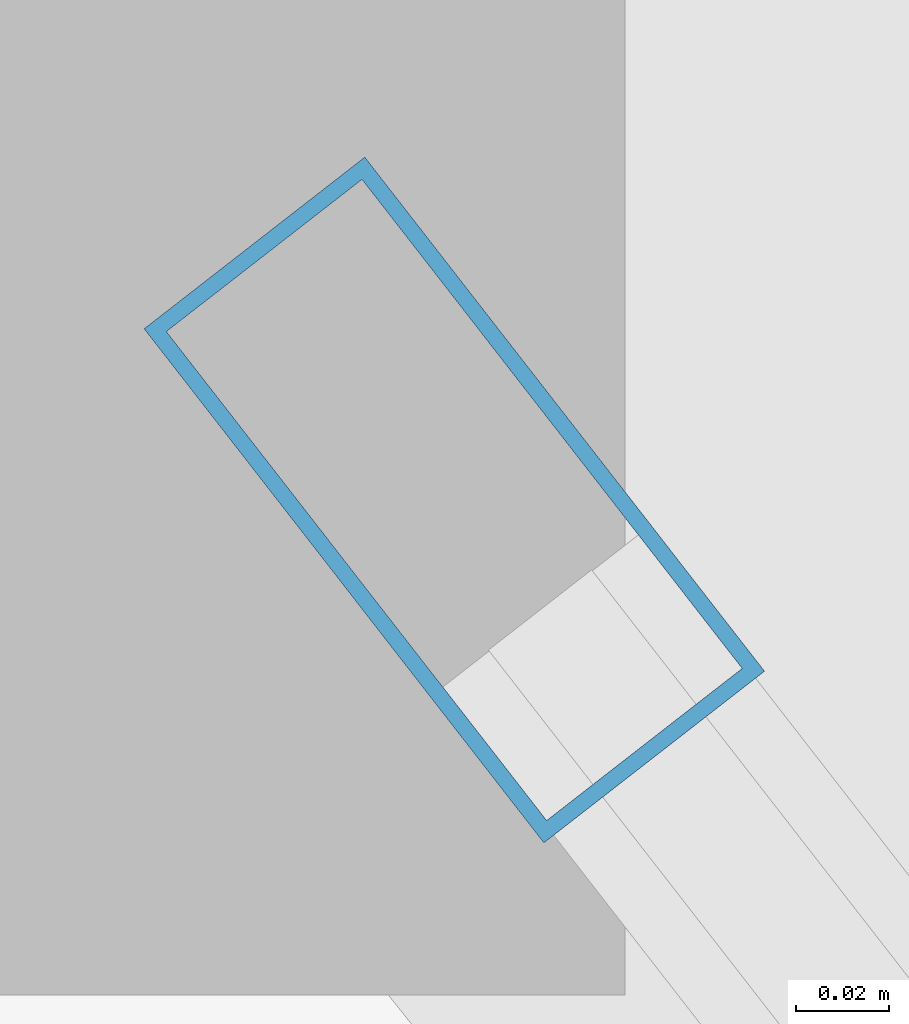
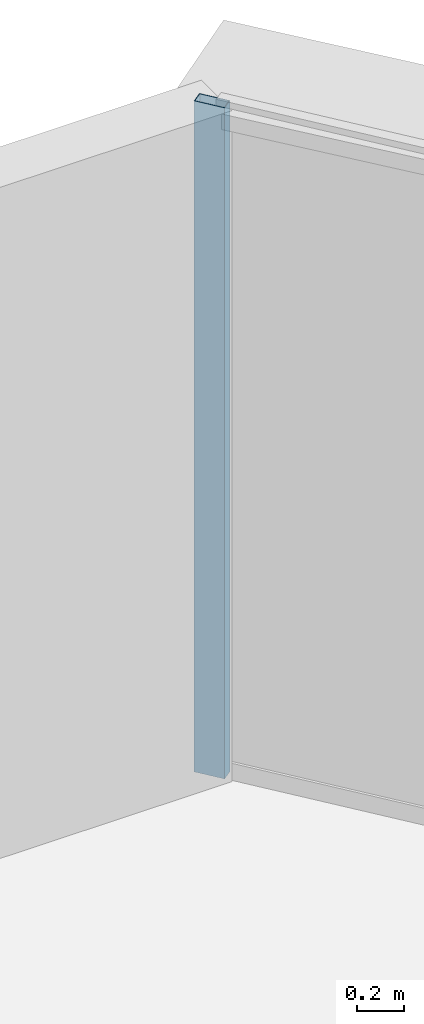
# One storey, part 26 of 33: 1 member, 1 element without a shape of its own.
"""IFC4 building model written with IfcOpenShell, lengths in metres."""

from ifc_helpers import new_model, si_unit, direction, frame, origin, origin_2d, place, context, subcontext, project, spatial, hollow_rectangle, extrude, source, transform, mapped, material, layer, layer_set, material_profile, profile_set, type_object, element, aggregate, save


model = new_model("IFC4")

# Units and contexts
model_context = context("Model", 3, precision=1e-05, world=origin(), true_north=direction((0.0, 1.0)))
body_context = subcontext(model_context, "Body", "Model", "MODEL_VIEW")
ifc_project = project(units=[si_unit("LENGTHUNIT", "METRE"), si_unit("AREAUNIT", "SQUARE_METRE"), si_unit("VOLUMEUNIT", "CUBIC_METRE"), si_unit("PLANEANGLEUNIT", "RADIAN"), si_unit("MASSUNIT", "GRAM", prefix="KILO"), si_unit("THERMODYNAMICTEMPERATUREUNIT", "KELVIN"), si_unit("POWERUNIT", "WATT")], contexts=[model_context])

# Site, building, storey
site_placement = place(None, origin())
site = spatial("IfcSite", under=ifc_project, at=site_placement, CompositionType="ELEMENT")
building_placement = place(site_placement, origin())
building = spatial("IfcBuilding", under=site, at=building_placement, Name="Yunzhuo Pagoda Commons", CompositionType="ELEMENT")
storey_placement = place(building_placement, frame((0.0, 0.0, 307.39990234375)))
storey = spatial("IfcBuildingStorey", under=building, at=storey_placement, Name="L77", CompositionType="ELEMENT", Elevation=307.39990234375)

# Curtain wall, member
ifc_material = material(Name="Anodized aluminium 6063-T6", Category="aluminium")
ifc_layer = layer(ifc_material, 0.139892578125)
ifc_layer_set = layer_set([ifc_layer], Name="Anodized aluminium 6063-T6")
curtain_wall_type = type_object("IfcCurtainWallType", Name="CW-HI High-Zone Ribbon Curtain Wall", PredefinedType="NOTDEFINED", material=ifc_layer_set)
curtain_wall_placement = place(storey_placement, origin())
curtain_wall = element("IfcCurtainWall", 1, at=curtain_wall_placement, inside=storey, type_object=curtain_wall_type, Name="L77 curtain wall CW-L77-F2B5", PredefinedType="NOTDEFINED")
ifc_material_profile = material_profile(ifc_material, hollow_rectangle(XDim=0.06005859375, YDim=0.139892578125, WallThickness=0.00341796875, at=origin_2d()), Name="Anodized aluminium 6063-T6")
ifc_profile_set = profile_set([ifc_material_profile], Name="Anodized aluminium 6063-T6")
member_type = type_object("IfcMemberType", Name="CW-HI-M Mullion RHS 140x60x3.5", PredefinedType="MULLION", material=ifc_profile_set)
shared_shape = source(origin(), body_context, "Body", "SweptSolid", [
    extrude(hollow_rectangle(XDim=0.06005859375, YDim=0.139892578125, WallThickness=0.00341796875, at=origin_2d()), origin(), (0.0, 0.0, 1.0), 3.47021484375),
])
member_placement = place(storey_placement, frame((51.401123046875, 74.764404296875, 0.0), z_axis=(0.0, 0.0, 1.0), x_axis=(-0.78943032712, -0.613840173517, 0.0)))
member = element("IfcMember", 2, at=member_placement, type_object=member_type, Name="CW mullion 2", PredefinedType="MULLION", context=body_context, shape_type="MappedRepresentation", body=[
    mapped(shared_shape, transform((0.0, 0.0, 0.0), scale=1.0)),
])
aggregate(curtain_wall, [member])

save(model, "model.ifc")
